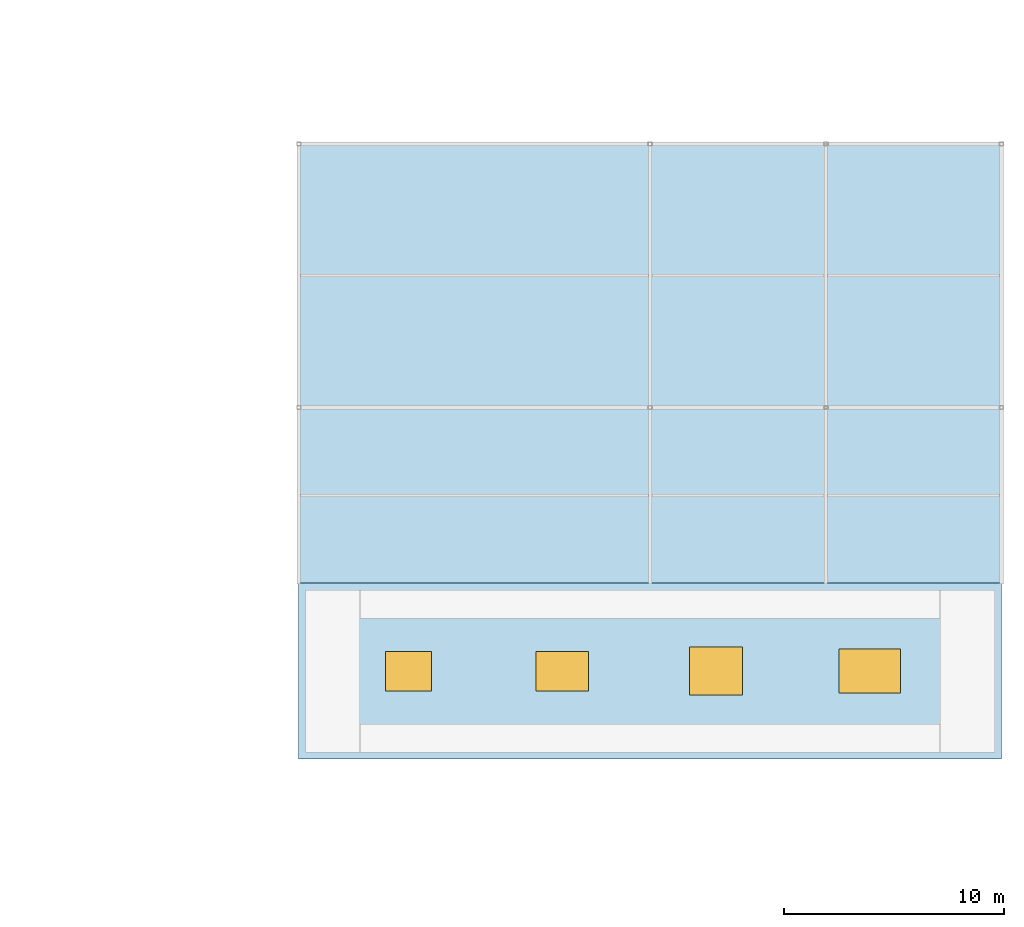
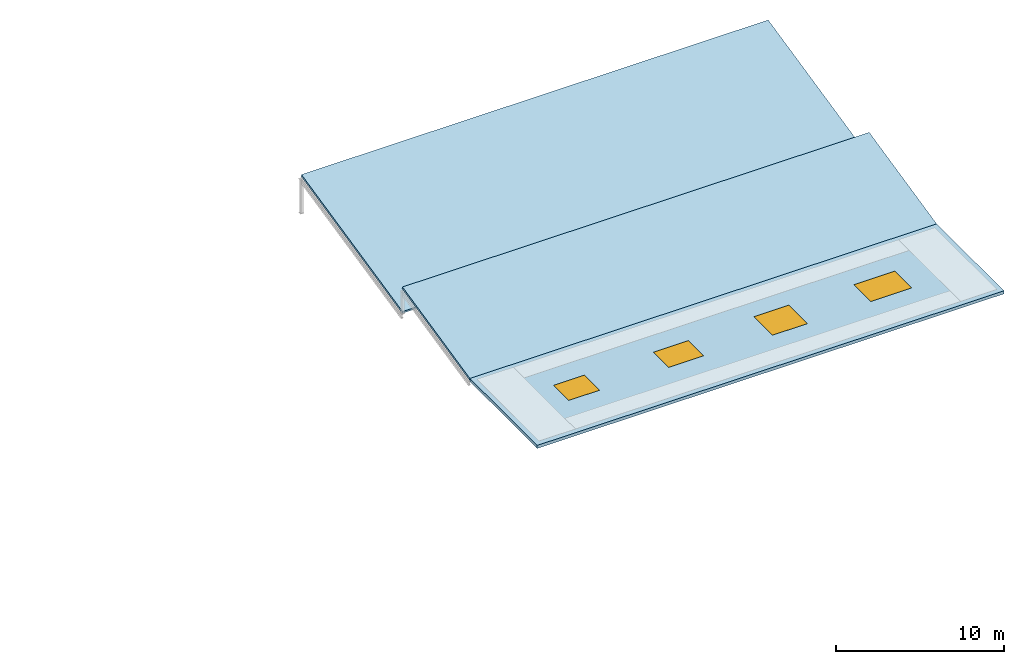
# One storey, part 22 of 31: 4 windows, 3 slabs, 4 openings.
"""IFC4 building model written with IfcOpenShell, lengths in metres."""

from ifc_helpers import new_model, si_unit, direction, frame, origin, origin_2d, place, context, subcontext, project, spatial, polyline, rectangle, outline, extrude, material, layer, layer_set, type_object, element, fill, save


model = new_model("IFC4")

# Units and contexts
model_context = context("Model", 3, precision=1e-05, world=origin(), true_north=direction((0.0, 1.0)))
body_context = subcontext(model_context, "Body", "Model", "MODEL_VIEW")
ifc_project = project(units=[si_unit("LENGTHUNIT", "METRE"), si_unit("AREAUNIT", "SQUARE_METRE"), si_unit("VOLUMEUNIT", "CUBIC_METRE"), si_unit("PLANEANGLEUNIT", "RADIAN"), si_unit("MASSUNIT", "GRAM", prefix="KILO")], contexts=[model_context])

# Site, building, storey
site_placement = place(None, origin())
site = spatial("IfcSite", under=ifc_project, at=site_placement, CompositionType="ELEMENT")
building_placement = place(site_placement, origin())
building = spatial("IfcBuilding", under=site, at=building_placement, Name="Celadon Cloister-Ring School", CompositionType="ELEMENT")
storey_placement = place(building_placement, frame((0.0, 0.0, 16.5)))
storey = spatial("IfcBuildingStorey", under=building, at=storey_placement, Name="L04", CompositionType="ELEMENT", Elevation=16.5)

# Slab, openings, windows
ifc_material_1 = material(Name="Concrete C35/45", Category="concrete")
ifc_layer_1 = layer(ifc_material_1, 0.219970703125)
ifc_layer_set_1 = layer_set([ifc_layer_1], Name="Concrete C35/45")
slab_type_1 = type_object("IfcSlabType", Name="SL-RF3", PredefinedType="ROOF", material=ifc_layer_set_1)
slab_1_placement = place(storey_placement, frame((0.0, 0.0, -0.219970703125)))
slab_1 = element("IfcSlab", 1, at=slab_1_placement, inside=storey, type_object=slab_type_1, Name="Dining Monitor Skylight Roof", PredefinedType="ROOF", context=body_context, shape_type="SweptSolid", body=[
    extrude(outline(polyline([(142.0, 32.0), (174.0, 32.0), (174.0, 40.0), (142.0, 40.0), (142.0, 32.0)])), origin(), (0.0, 0.0, 1.0), 0.219970703125),
])
opening_1_placement = place(slab_1_placement, frame((147.0, 36.0, 0.0)))
opening_1 = element("IfcOpeningElement", 2, at=opening_1_placement, cuts=slab_1, Name="Opening SK-03", PredefinedType="OPENING", context=body_context, shape_type="SweptSolid", body=[
    extrude(rectangle(XDim=2.10009765625, YDim=1.800048828125, at=origin_2d()), origin(), (0.0, 0.0, 1.0), 0.219970703125),
])
opening_2_placement = place(slab_1_placement, frame((154.0, 36.0, 0.0)))
opening_2 = element("IfcOpeningElement", 3, at=opening_2_placement, cuts=slab_1, Name="Opening SK-04", PredefinedType="OPENING", context=body_context, shape_type="SweptSolid", body=[
    extrude(rectangle(XDim=2.39990234375, YDim=1.800048828125, at=origin_2d()), origin(), (0.0, 0.0, 1.0), 0.219970703125),
])
opening_3_placement = place(slab_1_placement, frame((161.0, 36.0, 0.0)))
opening_3 = element("IfcOpeningElement", 4, at=opening_3_placement, cuts=slab_1, Name="Opening SK-05", PredefinedType="OPENING", context=body_context, shape_type="SweptSolid", body=[
    extrude(rectangle(XDim=2.39990234375, YDim=2.199951171875, at=origin_2d()), origin(), (0.0, 0.0, 1.0), 0.219970703125),
])
opening_4_placement = place(slab_1_placement, frame((168.0, 36.0, 0.0)))
opening_4 = element("IfcOpeningElement", 5, at=opening_4_placement, cuts=slab_1, Name="Opening SK-06", PredefinedType="OPENING", context=body_context, shape_type="SweptSolid", body=[
    extrude(rectangle(XDim=2.800048828125, YDim=2.0, at=origin_2d()), origin(), (0.0, 0.0, 1.0), 0.219970703125),
])
ifc_material_2 = material(Name="Tempered laminated insulating glass", Category="glass")
window_type_1 = type_object("IfcWindowType", Name="SK-03", PartitioningType="SINGLE_PANEL", PredefinedType="SKYLIGHT", material=ifc_material_2)
window_1_placement = place(opening_1_placement, frame((0.0, 0.0, 0.169921875)))
window_1 = element("IfcWindow", 6, at=window_1_placement, inside=storey, type_object=window_type_1, Name="Monitor Skylight 01", OverallHeight=1.800048828125, OverallWidth=2.10009765625, PartitioningType="SINGLE_PANEL", PredefinedType="SKYLIGHT", context=body_context, shape_type="SweptSolid", body=[
    extrude(rectangle(XDim=2.10009765625, YDim=1.800048828125, at=origin_2d()), origin(), (0.0, 0.0, 1.0), 0.050048828125),
])
fill(opening_1, window_1)
ifc_material_3 = material(Name="Tempered laminated insulating glass", Category="glass")
window_type_2 = type_object("IfcWindowType", Name="SK-04", PartitioningType="SINGLE_PANEL", PredefinedType="SKYLIGHT", material=ifc_material_3)
window_2_placement = place(opening_2_placement, frame((0.0, 0.0, 0.169921875)))
window_2 = element("IfcWindow", 7, at=window_2_placement, inside=storey, type_object=window_type_2, Name="Monitor Skylight 02", OverallHeight=1.800048828125, OverallWidth=2.39990234375, PartitioningType="SINGLE_PANEL", PredefinedType="SKYLIGHT", context=body_context, shape_type="SweptSolid", body=[
    extrude(rectangle(XDim=2.39990234375, YDim=1.800048828125, at=origin_2d()), origin(), (0.0, 0.0, 1.0), 0.050048828125),
])
fill(opening_2, window_2)
ifc_material_4 = material(Name="Tempered laminated insulating glass", Category="glass")
window_type_3 = type_object("IfcWindowType", Name="SK-05", PartitioningType="SINGLE_PANEL", PredefinedType="SKYLIGHT", material=ifc_material_4)
window_3_placement = place(opening_3_placement, frame((0.0, 0.0, 0.169921875)))
window_3 = element("IfcWindow", 8, at=window_3_placement, inside=storey, type_object=window_type_3, Name="Monitor Skylight 03", OverallHeight=2.199951171875, OverallWidth=2.39990234375, PartitioningType="SINGLE_PANEL", PredefinedType="SKYLIGHT", context=body_context, shape_type="SweptSolid", body=[
    extrude(rectangle(XDim=2.39990234375, YDim=2.199951171875, at=origin_2d()), origin(), (0.0, 0.0, 1.0), 0.050048828125),
])
fill(opening_3, window_3)
ifc_material_5 = material(Name="Tempered laminated insulating glass", Category="glass")
window_type_4 = type_object("IfcWindowType", Name="SK-06", PartitioningType="SINGLE_PANEL", PredefinedType="SKYLIGHT", material=ifc_material_5)
window_4_placement = place(opening_4_placement, frame((0.0, 0.0, 0.169921875)))
window_4 = element("IfcWindow", 9, at=window_4_placement, inside=storey, type_object=window_type_4, Name="Monitor Skylight 04", OverallHeight=2.0, OverallWidth=2.800048828125, PartitioningType="SINGLE_PANEL", PredefinedType="SKYLIGHT", context=body_context, shape_type="SweptSolid", body=[
    extrude(rectangle(XDim=2.800048828125, YDim=2.0, at=origin_2d()), origin(), (0.0, 0.0, 1.0), 0.050048828125),
])
fill(opening_4, window_4)

# Slabs
ifc_material_6 = material(Name="Concrete C35/45", Category="concrete")
ifc_layer_2 = layer(ifc_material_6, 0.159912109375)
ifc_layer_set_2 = layer_set([ifc_layer_2], Name="Concrete C35/45")
slab_type_2 = type_object("IfcSlabType", Name="SL-RF4", PredefinedType="ROOF", material=ifc_layer_set_2)
slab_2_placement = place(storey_placement, frame((142.0, 40.0, 0.0), z_axis=(0.0, -0.217192243536, 0.976128848743), x_axis=(1.0, 0.0, 0.0)))
element("IfcSlab", 10, at=slab_2_placement, inside=storey, type_object=slab_type_2, Name="Workshops Sawtooth Roof 0216", PredefinedType="ROOF", context=body_context, shape_type="SweptSolid", body=[
    extrude(outline(polyline([(0.0, 0.0), (32.0, 0.0), (32.0, 8.195639346489894), (0.0, 8.195639346489894), (0.0, 0.0)])), origin(), (0.0, 0.0, -1.0), 0.159912109375),
])
slab_3_placement = place(storey_placement, frame((142.0, 48.0, 0.0), z_axis=(0.0, -0.215630299369, 0.976475075972), x_axis=(1.0, 0.0, 0.0)))
element("IfcSlab", 11, at=slab_3_placement, inside=storey, type_object=slab_type_2, Name="Workshops Sawtooth Roof 0217", PredefinedType="ROOF", context=body_context, shape_type="SweptSolid", body=[
    extrude(outline(polyline([(0.0, 0.0), (32.0, 0.0), (32.0, 12.28910014734243), (0.0, 12.28910014734243), (0.0, 0.0)])), origin(), (0.0, 0.0, -1.0), 0.159912109375),
])

save(model, "model.ifc")
